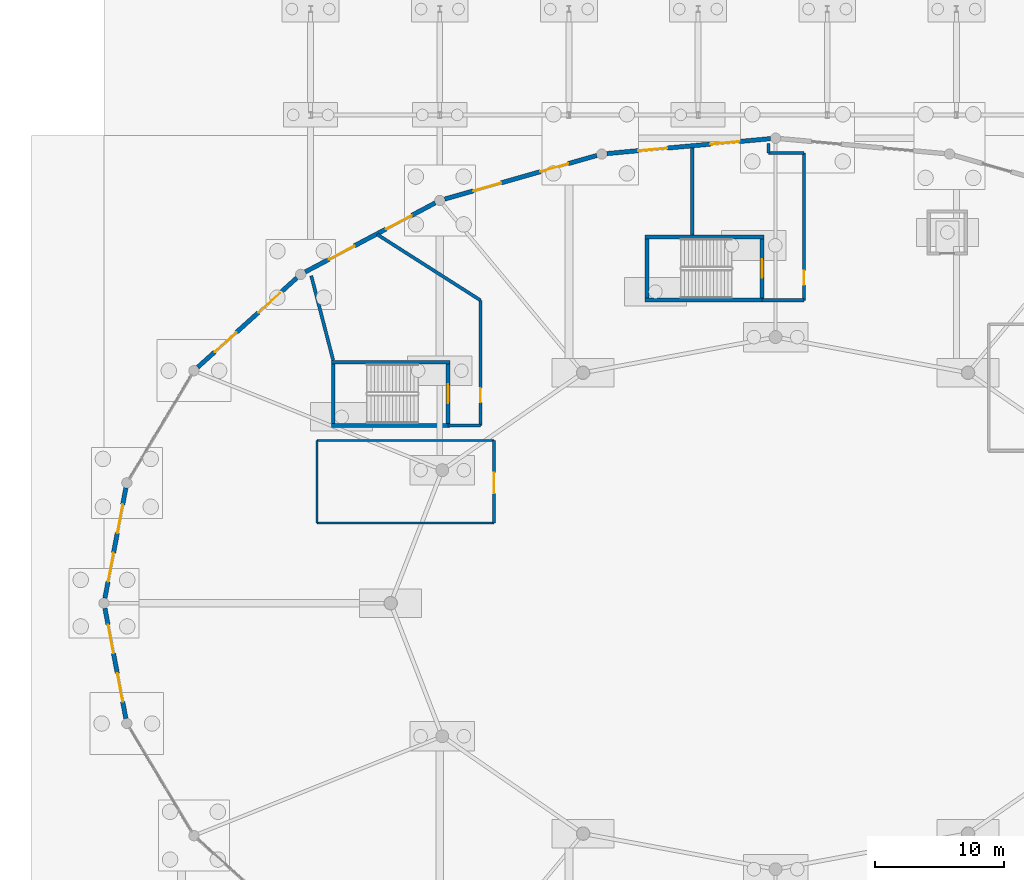
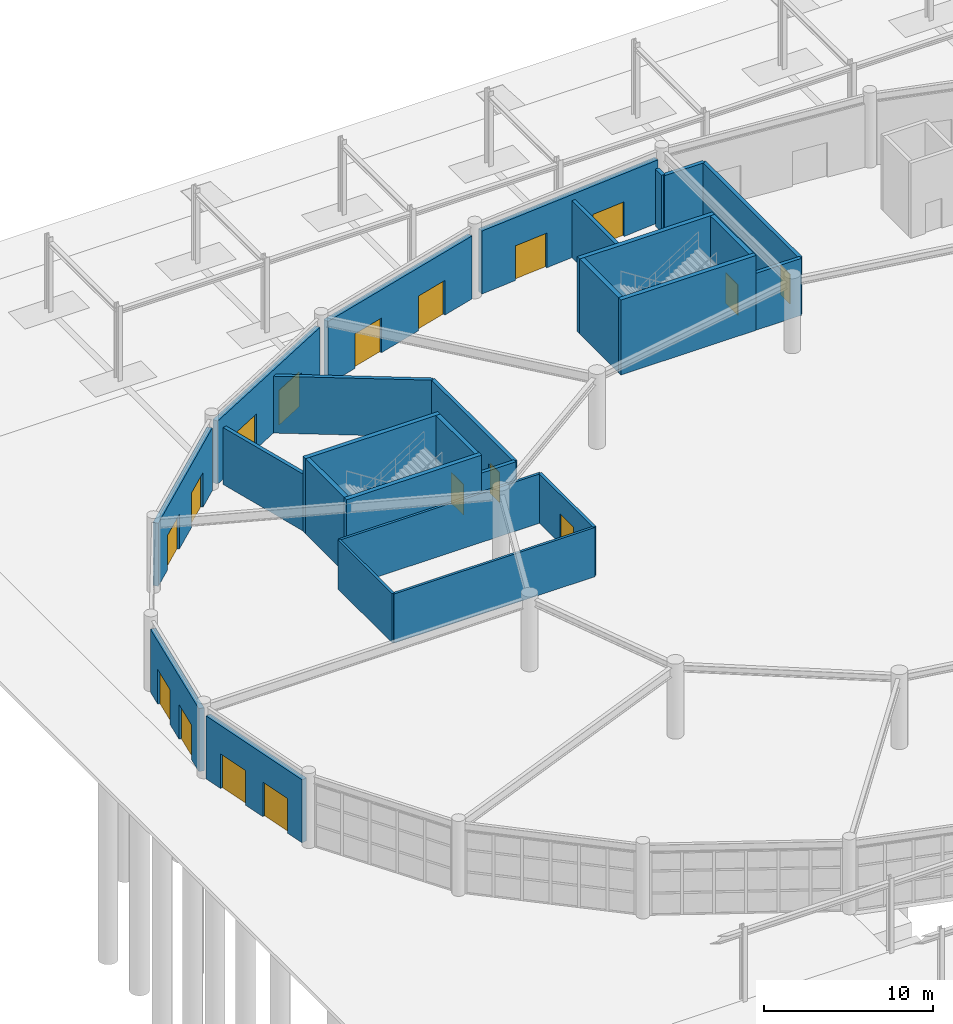
# One storey, part 77 of 99: 27 walls, 17 doors, 17 openings.
"""IFC4 building model written with IfcOpenShell, lengths in metres."""

from ifc_helpers import new_model, si_unit, direction, frame, frame_2d, origin, place, context, subcontext, project, spatial, rectangle, extrude, material, layer, layer_set, type_object, element, fill, save


model = new_model("IFC4")

# Units and contexts
model_context = context("Model", 3, precision=1e-05, world=origin(), true_north=direction((0.0, 1.0)))
body_context = subcontext(model_context, "Body", "Model", "MODEL_VIEW")
ifc_project = project(units=[si_unit("LENGTHUNIT", "METRE"), si_unit("AREAUNIT", "SQUARE_METRE"), si_unit("VOLUMEUNIT", "CUBIC_METRE"), si_unit("PLANEANGLEUNIT", "RADIAN"), si_unit("MASSUNIT", "GRAM", prefix="KILO")], contexts=[model_context])

# Site, building, storey
site_placement = place(None, origin())
site = spatial("IfcSite", under=ifc_project, at=site_placement, CompositionType="ELEMENT")
building_placement = place(site_placement, origin())
building = spatial("IfcBuilding", under=site, at=building_placement, Name="Kivolera Central Railway Station", CompositionType="ELEMENT")
storey_placement = place(building_placement, origin())
storey = spatial("IfcBuildingStorey", under=building, at=storey_placement, Name="L00", CompositionType="ELEMENT", Elevation=0.0)

# Wall, opening, door
ifc_material_1 = material(Name="Swahili coral limestone", Category="masonry")
ifc_layer_1 = layer(ifc_material_1, 0.199951171875, Name="Swahili coral limestone")
ifc_layer_set_1 = layer_set([ifc_layer_1], Name="Swahili coral limestone")
wall_type_1 = type_object("IfcWallType", Name="WL-COR-200", PredefinedType="PARTITIONING", material=ifc_layer_set_1)
wall_1_placement = place(storey_placement, frame((42.199951171875, 96.199951171875, 0.0), z_axis=(0.0, 0.0, 1.0), x_axis=(0.0, 1.0, 0.0)))
wall_1 = element("IfcWall", 1, at=wall_1_placement, inside=storey, type_object=wall_type_1, Name="L00 Passenger Information Centre Door Host Wall", PredefinedType="PARTITIONING", context=body_context, shape_type="SweptSolid", body=[
    extrude(rectangle(XDim=6.400146484375, YDim=0.199951171875, at=frame_2d((3.2001953125, 0.0))), origin(), (0.0, 0.0, 1.0), 3.550048828125),
])
opening_1_placement = place(wall_1_placement, frame((2.300048828125, 0.0, 0.0)))
opening_1 = element("IfcOpeningElement", 2, at=opening_1_placement, cuts=wall_1, Name="Opening D-DB-02", PredefinedType="OPENING", context=body_context, shape_type="SweptSolid", body=[
    extrude(rectangle(XDim=1.60009765625, YDim=2.14990234375, at=frame_2d((0.800048828125, 1.074951171875))), frame((0.0, 0.10986328125, 0.0), z_axis=(0.0, -1.0, 0.0), x_axis=(1.0, 0.0, 0.0)), (0.0, 0.0, 1.0), 0.219970703125),
])
ifc_material_2 = material(Name="Anodised aluminium", Category="aluminium")
door_type_1 = type_object("IfcDoorType", Name="DR-D-DB-02", OperationType="NOTDEFINED", PredefinedType="DOOR", material=ifc_material_2)
door_1_placement = place(opening_1_placement, origin())
door_1 = element("IfcDoor", 3, at=door_1_placement, inside=storey, type_object=door_type_1, Name="L00 Passenger Information Centre Door", OperationType="DOUBLE_DOOR_SINGLE_SWING", OverallHeight=2.14990234375, OverallWidth=1.60009765625, PredefinedType="DOOR", context=body_context, shape_type="SweptSolid", body=[
    extrude(rectangle(XDim=1.60009765625, YDim=2.14990234375, at=frame_2d((0.800048828125, 1.074951171875))), frame((0.0, 0.02490234375, 0.0), z_axis=(0.0, -1.0, 0.0), x_axis=(1.0, 0.0, 0.0)), (0.0, 0.0, 1.0), 0.050048828125),
])
fill(opening_1, door_1)

# Walls
ifc_material_3 = material(Name="Concrete C40/50", Category="concrete")
ifc_layer_2 = layer(ifc_material_3, 0.300048828125, Name="Concrete C40/50")
ifc_layer_set_2 = layer_set([ifc_layer_2], Name="Concrete C40/50")
wall_type_2 = type_object("IfcWallType", Name="WL-CORE-300", PredefinedType="SHEAR", material=ifc_layer_set_2)
for number, where, z_axis, x_axis, name in (
    (4, (63.10009765625, 113.469970703125, 0.0), (0.0, 0.0, 1.0), (-1.0, 0.0, 0.0), "L00 ST5 Core Right Shear Wall"),
    (5, (53.89990234375, 118.35009765625, 0.0), (0.0, 0.0, 1.0), (1.0, 0.0, 0.0), "L00 ST5 Core Left Shear Wall"),
):
    element("IfcWall", number, at=place(storey_placement, frame(where, z_axis=z_axis, x_axis=x_axis)), inside=storey, type_object=wall_type_2, Name=name, PredefinedType="SHEAR", context=body_context, shape_type="SweptSolid", body=[
        extrude(rectangle(XDim=9.2001953125, YDim=0.300048828125, at=frame_2d((4.60009765625, 0.0))), origin(), (0.0, 0.0, 1.0), 5.39990234375),
    ])

# Wall, opening, door
wall_2_placement = place(storey_placement, frame((62.949951171875, 118.199951171875, 0.0), z_axis=(0.0, 0.0, 1.0), x_axis=(0.0, -1.0, 0.0)))
wall_2 = element("IfcWall", 6, at=wall_2_placement, inside=storey, type_object=wall_type_2, Name="L00 ST5 Core Near Shear Wall", PredefinedType="SHEAR", context=body_context, shape_type="SweptSolid", body=[
    extrude(rectangle(XDim=4.579833984375, YDim=0.300048828125, at=frame_2d((2.2900390625, 0.0))), origin(), (0.0, 0.0, 1.0), 5.39990234375),
])
opening_2_placement = place(wall_2_placement, frame((1.56494140625, 0.0, 0.0)))
opening_2 = element("IfcOpeningElement", 7, at=opening_2_placement, cuts=wall_2, Name="Opening D-STAIR-1450", PredefinedType="OPENING", context=body_context, shape_type="SweptSolid", body=[
    extrude(rectangle(XDim=1.449951171875, YDim=2.199951171875, at=frame_2d((0.72509765625, 1.10009765625))), frame((0.0, 0.159912109375, 0.0), z_axis=(0.0, -1.0, 0.0), x_axis=(1.0, 0.0, 0.0)), (0.0, 0.0, 1.0), 0.320068359375),
])
ifc_material_4 = material(Name="Hardwood mvule timber", Category="wood")
door_type_2 = type_object("IfcDoorType", Name="DR-D-STAIR-1450", OperationType="NOTDEFINED", PredefinedType="DOOR", material=ifc_material_4)
door_2_placement = place(opening_2_placement, origin())
door_2 = element("IfcDoor", 8, at=door_2_placement, inside=storey, type_object=door_type_2, Name="L00 ST5 Concourse/Platform Stair Fire Door", OperationType="SINGLE_SWING_LEFT", OverallHeight=2.199951171875, OverallWidth=1.449951171875, PredefinedType="DOOR", context=body_context, shape_type="SweptSolid", body=[
    extrude(rectangle(XDim=1.449951171875, YDim=2.199951171875, at=frame_2d((0.72509765625, 1.10009765625))), frame((0.0, 0.02490234375, 0.0), z_axis=(0.0, -1.0, 0.0), x_axis=(1.0, 0.0, 0.0)), (0.0, 0.0, 1.0), 0.050048828125),
])
fill(opening_2, door_2)

# Walls
wall_3_placement = place(storey_placement, frame((54.050048828125, 113.6201171875, 0.0), z_axis=(0.0, 0.0, 1.0), x_axis=(0.0, 1.0, 0.0)))
element("IfcWall", 9, at=wall_3_placement, inside=storey, type_object=wall_type_2, Name="L00 ST5 Core Far Shear Wall", PredefinedType="SHEAR", context=body_context, shape_type="SweptSolid", body=[
    extrude(rectangle(XDim=4.579833984375, YDim=0.300048828125, at=frame_2d((2.2900390625, 0.0))), origin(), (0.0, 0.0, 1.0), 5.39990234375),
])
for number, where, z_axis, x_axis, name in (
    (10, (38.800048828125, 103.77001953125, 0.0), (0.0, 0.0, 1.0), (-1.0, 0.0, 0.0), "L00 ST6 Core Right Shear Wall"),
    (11, (29.60009765625, 108.64990234375, 0.0), (0.0, 0.0, 1.0), (1.0, 0.0, 0.0), "L00 ST6 Core Left Shear Wall"),
):
    element("IfcWall", number, at=place(storey_placement, frame(where, z_axis=z_axis, x_axis=x_axis)), inside=storey, type_object=wall_type_2, Name=name, PredefinedType="SHEAR", context=body_context, shape_type="SweptSolid", body=[
        extrude(rectangle(XDim=9.199951171875, YDim=0.300048828125, at=frame_2d((4.60009765625, 0.0))), origin(), (0.0, 0.0, 1.0), 5.39990234375),
    ])

# Wall, opening, door
wall_4_placement = place(storey_placement, frame((38.64990234375, 108.5, 0.0), z_axis=(0.0, 0.0, 1.0), x_axis=(0.0, -1.0, 0.0)))
wall_4 = element("IfcWall", 12, at=wall_4_placement, inside=storey, type_object=wall_type_2, Name="L00 ST6 Core Near Shear Wall", PredefinedType="SHEAR", context=body_context, shape_type="SweptSolid", body=[
    extrude(rectangle(XDim=4.580078125, YDim=0.300048828125, at=frame_2d((2.2900390625, 0.0))), origin(), (0.0, 0.0, 1.0), 5.39990234375),
])
opening_3_placement = place(wall_4_placement, frame((1.56494140625, 0.0, 0.0)))
opening_3 = element("IfcOpeningElement", 13, at=opening_3_placement, cuts=wall_4, Name="Opening D-STAIR-1450", PredefinedType="OPENING", context=body_context, shape_type="SweptSolid", body=[
    extrude(rectangle(XDim=1.449951171875, YDim=2.199951171875, at=frame_2d((0.72509765625, 1.10009765625))), frame((0.0, 0.159912109375, 0.0), z_axis=(0.0, -1.0, 0.0), x_axis=(1.0, 0.0, 0.0)), (0.0, 0.0, 1.0), 0.320068359375),
])
door_3_placement = place(opening_3_placement, origin())
door_3 = element("IfcDoor", 14, at=door_3_placement, inside=storey, type_object=door_type_2, Name="L00 ST6 Concourse/Platform Stair Fire Door", OperationType="SINGLE_SWING_RIGHT", OverallHeight=2.199951171875, OverallWidth=1.449951171875, PredefinedType="DOOR", context=body_context, shape_type="SweptSolid", body=[
    extrude(rectangle(XDim=1.449951171875, YDim=2.199951171875, at=frame_2d((0.72509765625, 1.10009765625))), frame((0.0, 0.02490234375, 0.0), z_axis=(0.0, -1.0, 0.0), x_axis=(1.0, 0.0, 0.0)), (0.0, 0.0, 1.0), 0.050048828125),
])
fill(opening_3, door_3)

# Wall
wall_5_placement = place(storey_placement, frame((29.75, 103.919921875, 0.0), z_axis=(0.0, 0.0, 1.0), x_axis=(0.0, 1.0, 0.0)))
element("IfcWall", 15, at=wall_5_placement, inside=storey, type_object=wall_type_2, Name="L00 ST6 Core Far Shear Wall", PredefinedType="SHEAR", context=body_context, shape_type="SweptSolid", body=[
    extrude(rectangle(XDim=4.580078125, YDim=0.300048828125, at=frame_2d((2.2900390625, 0.0))), origin(), (0.0, 0.0, 1.0), 5.39990234375),
])

# Wall, openings, doors
ifc_layer_3 = layer(ifc_material_1, 0.340087890625, Name="Swahili coral limestone")
ifc_layer_set_3 = layer_set([ifc_layer_3], Name="Swahili coral limestone")
wall_type_3 = type_object("IfcWallType", Name="WL-EXT-PLINTH-340", PredefinedType="SOLIDWALL", material=ifc_layer_set_3)
wall_6_placement = place(storey_placement, frame((50.93896484375, 124.80908203125, 0.0), z_axis=(0.0, 0.0, 1.0), x_axis=(0.995865935197, 0.090835230574, 0.0)))
wall_6 = element("IfcWall", 16, at=wall_6_placement, inside=storey, type_object=wall_type_3, Name="Oval Concourse Entrance Portal Wall Bay 07", PredefinedType="SOLIDWALL", context=body_context, shape_type="SweptSolid", body=[
    extrude(rectangle(XDim=12.715576171875, YDim=0.340087890625, at=frame_2d((6.35791015625, 0.0))), origin(), (0.0, 0.0, 1.0), 4.5400390625),
])
opening_4_placement = place(wall_6_placement, frame((2.43505859375, 0.0, 0.0)))
opening_4 = element("IfcOpeningElement", 17, at=opening_4_placement, cuts=wall_6, Name="Opening ED-2250", PredefinedType="OPENING", context=body_context, shape_type="SweptSolid", body=[
    extrude(rectangle(XDim=2.25, YDim=2.5, at=frame_2d((1.125, 1.25))), frame((0.0, 0.179931640625, 0.0), z_axis=(0.0, -1.0, 0.0), x_axis=(1.0, 0.0, 0.0)), (0.0, 0.0, 1.0), 0.360107421875),
])
opening_5_placement = place(wall_6_placement, frame((8.030029296875, 0.0, 0.0)))
opening_5 = element("IfcOpeningElement", 18, at=opening_5_placement, cuts=wall_6, Name="Opening ED-2250", PredefinedType="OPENING", context=body_context, shape_type="SweptSolid", body=[
    extrude(rectangle(XDim=2.25, YDim=2.5, at=frame_2d((1.125, 1.25))), frame((0.0, 0.179931640625, 0.0), z_axis=(0.0, -1.0, 0.0), x_axis=(1.0, 0.0, 0.0)), (0.0, 0.0, 1.0), 0.360107421875),
])
door_type_3 = type_object("IfcDoorType", Name="DR-ED-2250", OperationType="NOTDEFINED", PredefinedType="DOOR", material=ifc_material_2)
door_4_placement = place(opening_4_placement, origin())
door_4 = element("IfcDoor", 19, at=door_4_placement, inside=storey, type_object=door_type_3, Name="Final Exit Discharge Door ED-05", OperationType="DOUBLE_DOOR_SINGLE_SWING", OverallHeight=2.5, OverallWidth=2.25, PredefinedType="DOOR", context=body_context, shape_type="SweptSolid", body=[
    extrude(rectangle(XDim=2.25, YDim=2.5, at=frame_2d((1.125, 1.25))), frame((0.0, 0.02490234375, 0.0), z_axis=(0.0, -1.0, 0.0), x_axis=(1.0, 0.0, 0.0)), (0.0, 0.0, 1.0), 0.050048828125),
])
fill(opening_4, door_4)
door_5_placement = place(opening_5_placement, origin())
door_5 = element("IfcDoor", 20, at=door_5_placement, inside=storey, type_object=door_type_3, Name="Final Exit Discharge Door ED-06", OperationType="DOUBLE_DOOR_SINGLE_SWING", OverallHeight=2.5, OverallWidth=2.25, PredefinedType="DOOR", context=body_context, shape_type="SweptSolid", body=[
    extrude(rectangle(XDim=2.25, YDim=2.5, at=frame_2d((1.125, 1.25))), frame((0.0, 0.02490234375, 0.0), z_axis=(0.0, -1.0, 0.0), x_axis=(1.0, 0.0, 0.0)), (0.0, 0.0, 1.0), 0.050048828125),
])
fill(opening_5, door_5)

wall_7_placement = place(storey_placement, frame((38.385009765625, 121.287109375, 0.0), z_axis=(0.0, 0.0, 1.0), x_axis=(0.9612465972, 0.275690005934, 0.0)))
wall_7 = element("IfcWall", 21, at=wall_7_placement, inside=storey, type_object=wall_type_3, Name="Oval Concourse Entrance Portal Wall Bay 08", PredefinedType="SOLIDWALL", context=body_context, shape_type="SweptSolid", body=[
    extrude(rectangle(XDim=12.24560546875, YDim=0.340087890625, at=frame_2d((6.122802734375, 0.0))), origin(), (0.0, 0.0, 1.0), 4.5400390625),
])
opening_6_placement = place(wall_7_placement, frame((2.303955078125, 0.0, 0.0)))
opening_6 = element("IfcOpeningElement", 22, at=opening_6_placement, cuts=wall_7, Name="Opening ED-2250", PredefinedType="OPENING", context=body_context, shape_type="SweptSolid", body=[
    extrude(rectangle(XDim=2.25, YDim=2.5, at=frame_2d((1.125, 1.25))), frame((0.0, 0.179931640625, 0.0), z_axis=(0.0, -1.0, 0.0), x_axis=(1.0, 0.0, 0.0)), (0.0, 0.0, 1.0), 0.360107421875),
])
opening_7_placement = place(wall_7_placement, frame((7.69189453125, 0.0, 0.0)))
opening_7 = element("IfcOpeningElement", 23, at=opening_7_placement, cuts=wall_7, Name="Opening ED-2250", PredefinedType="OPENING", context=body_context, shape_type="SweptSolid", body=[
    extrude(rectangle(XDim=2.25, YDim=2.5, at=frame_2d((1.125, 1.25))), frame((0.0, 0.179931640625, 0.0), z_axis=(0.0, -1.0, 0.0), x_axis=(1.0, 0.0, 0.0)), (0.0, 0.0, 1.0), 0.360107421875),
])
door_6_placement = place(opening_6_placement, origin())
door_6 = element("IfcDoor", 24, at=door_6_placement, inside=storey, type_object=door_type_3, Name="Final Exit Discharge Door ED-07", OperationType="DOUBLE_DOOR_SINGLE_SWING", OverallHeight=2.5, OverallWidth=2.25, PredefinedType="DOOR", context=body_context, shape_type="SweptSolid", body=[
    extrude(rectangle(XDim=2.25, YDim=2.5, at=frame_2d((1.125, 1.25))), frame((0.0, 0.02490234375, 0.0), z_axis=(0.0, -1.0, 0.0), x_axis=(1.0, 0.0, 0.0)), (0.0, 0.0, 1.0), 0.050048828125),
])
fill(opening_6, door_6)
door_7_placement = place(opening_7_placement, origin())
door_7 = element("IfcDoor", 25, at=door_7_placement, inside=storey, type_object=door_type_3, Name="Final Exit Discharge Door ED-08", OperationType="DOUBLE_DOOR_SINGLE_SWING", OverallHeight=2.5, OverallWidth=2.25, PredefinedType="DOOR", context=body_context, shape_type="SweptSolid", body=[
    extrude(rectangle(XDim=2.25, YDim=2.5, at=frame_2d((1.125, 1.25))), frame((0.0, 0.02490234375, 0.0), z_axis=(0.0, -1.0, 0.0), x_axis=(1.0, 0.0, 0.0)), (0.0, 0.0, 1.0), 0.050048828125),
])
fill(opening_7, door_7)

wall_8_placement = place(storey_placement, frame((27.5830078125, 115.64404296875, 0.0), z_axis=(0.0, 0.0, 1.0), x_axis=(0.883170637758, 0.46905183573, 0.0)))
wall_8 = element("IfcWall", 26, at=wall_8_placement, inside=storey, type_object=wall_type_3, Name="Oval Concourse Entrance Portal Wall Bay 09", PredefinedType="SOLIDWALL", context=body_context, shape_type="SweptSolid", body=[
    extrude(rectangle(XDim=11.395263671875, YDim=0.340087890625, at=frame_2d((5.69775390625, 0.0))), origin(), (0.0, 0.0, 1.0), 4.5400390625),
])
opening_8_placement = place(wall_8_placement, frame((2.06591796875, 0.0, 0.0)))
opening_8 = element("IfcOpeningElement", 27, at=opening_8_placement, cuts=wall_8, Name="Opening ED-2250", PredefinedType="OPENING", context=body_context, shape_type="SweptSolid", body=[
    extrude(rectangle(XDim=2.25, YDim=2.5, at=frame_2d((1.125, 1.25))), frame((0.0, 0.179931640625, 0.0), z_axis=(0.0, -1.0, 0.0), x_axis=(1.0, 0.0, 0.0)), (0.0, 0.0, 1.0), 0.360107421875),
])
opening_9_placement = place(wall_8_placement, frame((7.080078125, 0.0, 0.0)))
opening_9 = element("IfcOpeningElement", 28, at=opening_9_placement, cuts=wall_8, Name="Opening ED-2250", PredefinedType="OPENING", context=body_context, shape_type="SweptSolid", body=[
    extrude(rectangle(XDim=2.25, YDim=2.5, at=frame_2d((1.125, 1.25))), frame((0.0, 0.179931640625, 0.0), z_axis=(0.0, -1.0, 0.0), x_axis=(1.0, 0.0, 0.0)), (0.0, 0.0, 1.0), 0.360107421875),
])
door_8_placement = place(opening_8_placement, origin())
door_8 = element("IfcDoor", 29, at=door_8_placement, inside=storey, type_object=door_type_3, Name="Final Exit Discharge Door ED-09", OperationType="DOUBLE_DOOR_SINGLE_SWING", OverallHeight=2.5, OverallWidth=2.25, PredefinedType="DOOR", context=body_context, shape_type="SweptSolid", body=[
    extrude(rectangle(XDim=2.25, YDim=2.5, at=frame_2d((1.125, 1.25))), frame((0.0, 0.02490234375, 0.0), z_axis=(0.0, -1.0, 0.0), x_axis=(1.0, 0.0, 0.0)), (0.0, 0.0, 1.0), 0.050048828125),
])
fill(opening_8, door_8)
door_9_placement = place(opening_9_placement, origin())
door_9 = element("IfcDoor", 30, at=door_9_placement, inside=storey, type_object=door_type_3, Name="Final Exit Discharge Door ED-10", OperationType="DOUBLE_DOOR_SINGLE_SWING", OverallHeight=2.5, OverallWidth=2.25, PredefinedType="DOOR", context=body_context, shape_type="SweptSolid", body=[
    extrude(rectangle(XDim=2.25, YDim=2.5, at=frame_2d((1.125, 1.25))), frame((0.0, 0.02490234375, 0.0), z_axis=(0.0, -1.0, 0.0), x_axis=(1.0, 0.0, 0.0)), (0.0, 0.0, 1.0), 0.050048828125),
])
fill(opening_9, door_9)

wall_9_placement = place(storey_placement, frame((19.263916015625, 108.26806640625, 0.0), z_axis=(0.0, 0.0, 1.0), x_axis=(0.742443864637, 0.669908283172, 0.0)))
wall_9 = element("IfcWall", 31, at=wall_9_placement, inside=storey, type_object=wall_type_3, Name="Oval Concourse Entrance Portal Wall Bay 10", PredefinedType="SOLIDWALL", context=body_context, shape_type="SweptSolid", body=[
    extrude(rectangle(XDim=10.32958984375, YDim=0.340087890625, at=frame_2d((5.164794921875, 0.0))), origin(), (0.0, 0.0, 1.0), 4.5400390625),
])
opening_10_placement = place(wall_9_placement, frame((1.76708984375, 0.0, 0.0)))
opening_10 = element("IfcOpeningElement", 32, at=opening_10_placement, cuts=wall_9, Name="Opening ED-2250", PredefinedType="OPENING", context=body_context, shape_type="SweptSolid", body=[
    extrude(rectangle(XDim=2.25, YDim=2.5, at=frame_2d((1.125, 1.25))), frame((0.0, 0.179931640625, 0.0), z_axis=(0.0, -1.0, 0.0), x_axis=(1.0, 0.0, 0.0)), (0.0, 0.0, 1.0), 0.360107421875),
])
opening_11_placement = place(wall_9_placement, frame((6.31201171875, 0.0, 0.0)))
opening_11 = element("IfcOpeningElement", 33, at=opening_11_placement, cuts=wall_9, Name="Opening ED-2250", PredefinedType="OPENING", context=body_context, shape_type="SweptSolid", body=[
    extrude(rectangle(XDim=2.25, YDim=2.5, at=frame_2d((1.125, 1.25))), frame((0.0, 0.179931640625, 0.0), z_axis=(0.0, -1.0, 0.0), x_axis=(1.0, 0.0, 0.0)), (0.0, 0.0, 1.0), 0.360107421875),
])
door_10_placement = place(opening_10_placement, origin())
door_10 = element("IfcDoor", 34, at=door_10_placement, inside=storey, type_object=door_type_3, Name="Final Exit Discharge Door ED-11", OperationType="DOUBLE_DOOR_SINGLE_SWING", OverallHeight=2.5, OverallWidth=2.25, PredefinedType="DOOR", context=body_context, shape_type="SweptSolid", body=[
    extrude(rectangle(XDim=2.25, YDim=2.5, at=frame_2d((1.125, 1.25))), frame((0.0, 0.02490234375, 0.0), z_axis=(0.0, -1.0, 0.0), x_axis=(1.0, 0.0, 0.0)), (0.0, 0.0, 1.0), 0.050048828125),
])
fill(opening_10, door_10)
door_11_placement = place(opening_11_placement, origin())
door_11 = element("IfcDoor", 35, at=door_11_placement, inside=storey, type_object=door_type_3, Name="Final Exit Discharge Door ED-12", OperationType="DOUBLE_DOOR_SINGLE_SWING", OverallHeight=2.5, OverallWidth=2.25, PredefinedType="DOOR", context=body_context, shape_type="SweptSolid", body=[
    extrude(rectangle(XDim=2.25, YDim=2.5, at=frame_2d((1.125, 1.25))), frame((0.0, 0.02490234375, 0.0), z_axis=(0.0, -1.0, 0.0), x_axis=(1.0, 0.0, 0.0)), (0.0, 0.0, 1.0), 0.050048828125),
])
fill(opening_11, door_11)

wall_10_placement = place(storey_placement, frame((12.074951171875, 90.39306640625, 0.0), z_axis=(0.0, 0.0, 1.0), x_axis=(0.186791705145, 0.982399541373, 0.0)))
wall_10 = element("IfcWall", 36, at=wall_10_placement, inside=storey, type_object=wall_type_3, Name="Oval Concourse Entrance Portal Wall Bay 12", PredefinedType="SOLIDWALL", context=body_context, shape_type="SweptSolid", body=[
    extrude(rectangle(XDim=8.683837890625, YDim=0.340087890625, at=frame_2d((4.341796875, 0.0))), origin(), (0.0, 0.0, 1.0), 4.5400390625),
])
opening_12_placement = place(wall_10_placement, frame((1.305908203125, 0.0, 0.0)))
opening_12 = element("IfcOpeningElement", 37, at=opening_12_placement, cuts=wall_10, Name="Opening ED-2250", PredefinedType="OPENING", context=body_context, shape_type="SweptSolid", body=[
    extrude(rectangle(XDim=2.25, YDim=2.5, at=frame_2d((1.125, 1.25))), frame((0.0, 0.179931640625, 0.0), z_axis=(0.0, -1.0, 0.0), x_axis=(1.0, 0.0, 0.0)), (0.0, 0.0, 1.0), 0.360107421875),
])
opening_13_placement = place(wall_10_placement, frame((5.126953125, 0.0, 0.0)))
opening_13 = element("IfcOpeningElement", 38, at=opening_13_placement, cuts=wall_10, Name="Opening ED-2250", PredefinedType="OPENING", context=body_context, shape_type="SweptSolid", body=[
    extrude(rectangle(XDim=2.25, YDim=2.5, at=frame_2d((1.125, 1.25))), frame((0.0, 0.179931640625, 0.0), z_axis=(0.0, -1.0, 0.0), x_axis=(1.0, 0.0, 0.0)), (0.0, 0.0, 1.0), 0.360107421875),
])
door_12_placement = place(opening_12_placement, origin())
door_12 = element("IfcDoor", 39, at=door_12_placement, inside=storey, type_object=door_type_3, Name="Final Exit Discharge Door ED-13", OperationType="DOUBLE_DOOR_SINGLE_SWING", OverallHeight=2.5, OverallWidth=2.25, PredefinedType="DOOR", context=body_context, shape_type="SweptSolid", body=[
    extrude(rectangle(XDim=2.25, YDim=2.5, at=frame_2d((1.125, 1.25))), frame((0.0, 0.02490234375, 0.0), z_axis=(0.0, -1.0, 0.0), x_axis=(1.0, 0.0, 0.0)), (0.0, 0.0, 1.0), 0.050048828125),
])
fill(opening_12, door_12)
door_13_placement = place(opening_13_placement, origin())
door_13 = element("IfcDoor", 40, at=door_13_placement, inside=storey, type_object=door_type_3, Name="Final Exit Discharge Door ED-14", OperationType="DOUBLE_DOOR_SINGLE_SWING", OverallHeight=2.5, OverallWidth=2.25, PredefinedType="DOOR", context=body_context, shape_type="SweptSolid", body=[
    extrude(rectangle(XDim=2.25, YDim=2.5, at=frame_2d((1.125, 1.25))), frame((0.0, 0.02490234375, 0.0), z_axis=(0.0, -1.0, 0.0), x_axis=(1.0, 0.0, 0.0)), (0.0, 0.0, 1.0), 0.050048828125),
])
fill(opening_13, door_13)

wall_11_placement = place(storey_placement, frame((13.697021484375, 81.075927734375, 0.0), z_axis=(0.0, 0.0, 1.0), x_axis=(-0.186791705145, 0.982399541373, 0.0)))
wall_11 = element("IfcWall", 41, at=wall_11_placement, inside=storey, type_object=wall_type_3, Name="Oval Concourse Entrance Portal Wall Bay 13", PredefinedType="SOLIDWALL", context=body_context, shape_type="SweptSolid", body=[
    extrude(rectangle(XDim=8.683837890625, YDim=0.340087890625, at=frame_2d((4.341796875, 0.0))), origin(), (0.0, 0.0, 1.0), 4.5400390625),
])
opening_14_placement = place(wall_11_placement, frame((1.305908203125, 0.0, 0.0)))
opening_14 = element("IfcOpeningElement", 42, at=opening_14_placement, cuts=wall_11, Name="Opening ED-2250", PredefinedType="OPENING", context=body_context, shape_type="SweptSolid", body=[
    extrude(rectangle(XDim=2.25, YDim=2.5, at=frame_2d((1.125, 1.25))), frame((0.0, 0.179931640625, 0.0), z_axis=(0.0, -1.0, 0.0), x_axis=(1.0, 0.0, 0.0)), (0.0, 0.0, 1.0), 0.360107421875),
])
opening_15_placement = place(wall_11_placement, frame((5.126953125, 0.0, 0.0)))
opening_15 = element("IfcOpeningElement", 43, at=opening_15_placement, cuts=wall_11, Name="Opening ED-2250", PredefinedType="OPENING", context=body_context, shape_type="SweptSolid", body=[
    extrude(rectangle(XDim=2.25, YDim=2.5, at=frame_2d((1.125, 1.25))), frame((0.0, 0.179931640625, 0.0), z_axis=(0.0, -1.0, 0.0), x_axis=(1.0, 0.0, 0.0)), (0.0, 0.0, 1.0), 0.360107421875),
])
door_14_placement = place(opening_14_placement, origin())
door_14 = element("IfcDoor", 44, at=door_14_placement, inside=storey, type_object=door_type_3, Name="Final Exit Discharge Door ED-15", OperationType="DOUBLE_DOOR_SINGLE_SWING", OverallHeight=2.5, OverallWidth=2.25, PredefinedType="DOOR", context=body_context, shape_type="SweptSolid", body=[
    extrude(rectangle(XDim=2.25, YDim=2.5, at=frame_2d((1.125, 1.25))), frame((0.0, 0.02490234375, 0.0), z_axis=(0.0, -1.0, 0.0), x_axis=(1.0, 0.0, 0.0)), (0.0, 0.0, 1.0), 0.050048828125),
])
fill(opening_14, door_14)
door_15_placement = place(opening_15_placement, origin())
door_15 = element("IfcDoor", 45, at=door_15_placement, inside=storey, type_object=door_type_3, Name="Final Exit Discharge Door ED-16", OperationType="DOUBLE_DOOR_SINGLE_SWING", OverallHeight=2.5, OverallWidth=2.25, PredefinedType="DOOR", context=body_context, shape_type="SweptSolid", body=[
    extrude(rectangle(XDim=2.25, YDim=2.5, at=frame_2d((1.125, 1.25))), frame((0.0, 0.02490234375, 0.0), z_axis=(0.0, -1.0, 0.0), x_axis=(1.0, 0.0, 0.0)), (0.0, 0.0, 1.0), 0.050048828125),
])
fill(opening_15, door_15)

# Wall, opening, door
ifc_layer_4 = layer(ifc_material_3, 0.25, Name="Concrete C40/50")
ifc_layer_set_4 = layer_set([ifc_layer_4], Name="Concrete C40/50")
wall_type_4 = type_object("IfcWallType", Name="WL-FFL-250", PredefinedType="PARTITIONING", material=ifc_layer_set_4)
wall_12_placement = place(storey_placement, frame((66.199951171875, 113.449951171875, 0.0), z_axis=(0.0, 0.0, 1.0), x_axis=(0.0, 1.0, 0.0)))
wall_12 = element("IfcWall", 46, at=wall_12_placement, inside=storey, type_object=wall_type_4, Name="L00 Stair ST5 Protected Exit Passage East Wall", PredefinedType="PARTITIONING", context=body_context, shape_type="SweptSolid", body=[
    extrude(rectangle(XDim=11.400146484375, YDim=0.25, at=frame_2d((5.7001953125, 0.0))), origin(), (0.0, 0.0, 1.0), 4.10009765625),
])
opening_16_placement = place(wall_12_placement, frame((1.199951171875, 0.0, 0.0)))
opening_16 = element("IfcOpeningElement", 47, at=opening_16_placement, cuts=wall_12, Name="Opening D-FFL-1100", PredefinedType="OPENING", context=body_context, shape_type="SweptSolid", body=[
    extrude(rectangle(XDim=1.10009765625, YDim=2.14990234375, at=frame_2d((0.550048828125, 1.074951171875))), frame((0.0, 0.135009765625, 0.0), z_axis=(0.0, -1.0, 0.0), x_axis=(1.0, 0.0, 0.0)), (0.0, 0.0, 1.0), 0.27001953125),
])
door_type_4 = type_object("IfcDoorType", Name="DR-D-FFL-1100", OperationType="NOTDEFINED", PredefinedType="DOOR", material=ifc_material_4)
door_16_placement = place(opening_16_placement, origin())
door_16 = element("IfcDoor", 48, at=door_16_placement, inside=storey, type_object=door_type_4, Name="L00 Stair ST5 Protected Passage Concourse Fire Door", OperationType="SINGLE_SWING_LEFT", OverallHeight=2.14990234375, OverallWidth=1.10009765625, PredefinedType="DOOR", context=body_context, shape_type="SweptSolid", body=[
    extrude(rectangle(XDim=1.10009765625, YDim=2.14990234375, at=frame_2d((0.550048828125, 1.074951171875))), frame((0.0, 0.02490234375, 0.0), z_axis=(0.0, -1.0, 0.0), x_axis=(1.0, 0.0, 0.0)), (0.0, 0.0, 1.0), 0.050048828125),
])
fill(opening_16, door_16)

# Walls
wall_13_placement = place(storey_placement, frame((63.449951171875, 124.85009765625, 0.0), z_axis=(0.0, 0.0, 1.0), x_axis=(1.0, 0.0, 0.0)))
element("IfcWall", 49, at=wall_13_placement, inside=storey, type_object=wall_type_4, Name="L00 Stair ST5 Protected Exit Passage North Return", PredefinedType="PARTITIONING", context=body_context, shape_type="SweptSolid", body=[
    extrude(rectangle(XDim=2.75, YDim=0.25, at=frame_2d((1.375, 0.0))), origin(), (0.0, 0.0, 1.0), 4.10009765625),
])
wall_14_placement = place(storey_placement, frame((63.449951171875, 124.85009765625, 0.0), z_axis=(0.0, 0.0, 1.0), x_axis=(0.0, 1.0, 0.0)))
element("IfcWall", 50, at=wall_14_placement, inside=storey, type_object=wall_type_4, Name="L00 Stair ST5 Protected Exit Passage Portal Return", PredefinedType="PARTITIONING", context=body_context, shape_type="SweptSolid", body=[
    extrude(rectangle(XDim=0.75, YDim=0.25, at=frame_2d((0.375, 0.0))), origin(), (0.0, 0.0, 1.0), 4.10009765625),
])
wall_15_placement = place(storey_placement, frame((57.550048828125, 118.5, 0.0), z_axis=(0.0, 0.0, 1.0), x_axis=(0.0, 1.0, 0.0)))
element("IfcWall", 51, at=wall_15_placement, inside=storey, type_object=wall_type_4, Name="L00 Stair ST5 Protected Exit Passage West Wall", PredefinedType="PARTITIONING", context=body_context, shape_type="SweptSolid", body=[
    extrude(rectangle(XDim=6.75, YDim=0.25, at=frame_2d((3.375, 0.0))), origin(), (0.0, 0.0, 1.0), 4.10009765625),
])
wall_16_placement = place(storey_placement, frame((62.949951171875, 113.449951171875, 0.0), z_axis=(0.0, 0.0, 1.0), x_axis=(1.0, 0.0, 0.0)))
element("IfcWall", 52, at=wall_16_placement, inside=storey, type_object=wall_type_4, Name="L00 Stair ST5 Protected Exit Vestibule South Return", PredefinedType="PARTITIONING", context=body_context, shape_type="SweptSolid", body=[
    extrude(rectangle(XDim=3.25, YDim=0.25, at=frame_2d((1.625, 0.0))), origin(), (0.0, 0.0, 1.0), 4.10009765625),
])

# Wall, opening, door
wall_17_placement = place(storey_placement, frame((41.14990234375, 103.75, 0.0), z_axis=(0.0, 0.0, 1.0), x_axis=(0.0, 1.0, 0.0)))
wall_17 = element("IfcWall", 53, at=wall_17_placement, inside=storey, type_object=wall_type_4, Name="L00 Stair ST6 Protected Exit Passage East Wall", PredefinedType="PARTITIONING", context=body_context, shape_type="SweptSolid", body=[
    extrude(rectangle(XDim=9.699951171875, YDim=0.25, at=frame_2d((4.85009765625, 0.0))), origin(), (0.0, 0.0, 1.0), 4.10009765625),
])
opening_17_placement = place(wall_17_placement, frame((1.800048828125, 0.0, 0.0)))
opening_17 = element("IfcOpeningElement", 54, at=opening_17_placement, cuts=wall_17, Name="Opening D-FFL-1100", PredefinedType="OPENING", context=body_context, shape_type="SweptSolid", body=[
    extrude(rectangle(XDim=1.10009765625, YDim=2.14990234375, at=frame_2d((0.550048828125, 1.074951171875))), frame((0.0, 0.135009765625, 0.0), z_axis=(0.0, -1.0, 0.0), x_axis=(1.0, 0.0, 0.0)), (0.0, 0.0, 1.0), 0.27001953125),
])
door_17_placement = place(opening_17_placement, origin())
door_17 = element("IfcDoor", 55, at=door_17_placement, inside=storey, type_object=door_type_4, Name="L00 Stair ST6 Protected Passage Concourse Fire Door", OperationType="SINGLE_SWING_RIGHT", OverallHeight=2.14990234375, OverallWidth=1.10009765625, PredefinedType="DOOR", context=body_context, shape_type="SweptSolid", body=[
    extrude(rectangle(XDim=1.10009765625, YDim=2.14990234375, at=frame_2d((0.550048828125, 1.074951171875))), frame((0.0, 0.02490234375, 0.0), z_axis=(0.0, -1.0, 0.0), x_axis=(1.0, 0.0, 0.0)), (0.0, 0.0, 1.0), 0.050048828125),
])
fill(opening_17, door_17)

# Walls
wall_18_placement = place(storey_placement, frame((41.14990234375, 113.449951171875, 0.0), z_axis=(0.0, 0.0, 1.0), x_axis=(-0.843222532273, 0.537564657568, 0.0)))
element("IfcWall", 56, at=wall_18_placement, inside=storey, type_object=wall_type_4, Name="L00 Stair ST6 Protected Exit Passage North-East Splay Wall", PredefinedType="PARTITIONING", context=body_context, shape_type="SweptSolid", body=[
    extrude(rectangle(XDim=9.4873046875, YDim=0.25, at=frame_2d((4.74365234375, 0.0))), origin(), (0.0, 0.0, 1.0), 4.10009765625),
])
wall_19_placement = place(storey_placement, frame((29.75, 108.800048828125, 0.0), z_axis=(0.0, 0.0, 1.0), x_axis=(-0.251210058237, 0.967932594058, 0.0)))
element("IfcWall", 57, at=wall_19_placement, inside=storey, type_object=wall_type_4, Name="L00 Stair ST6 Protected Exit Passage West Wall", PredefinedType="PARTITIONING", context=body_context, shape_type="SweptSolid", body=[
    extrude(rectangle(XDim=6.76708984375, YDim=0.25, at=frame_2d((3.383544921875, 0.0))), origin(), (0.0, 0.0, 1.0), 4.10009765625),
])
wall_20_placement = place(storey_placement, frame((38.64990234375, 103.75, 0.0), z_axis=(0.0, 0.0, 1.0), x_axis=(1.0, 0.0, 0.0)))
element("IfcWall", 58, at=wall_20_placement, inside=storey, type_object=wall_type_4, Name="L00 Stair ST6 Protected Exit Passage South Wall", PredefinedType="PARTITIONING", context=body_context, shape_type="SweptSolid", body=[
    extrude(rectangle(XDim=2.5, YDim=0.25, at=frame_2d((1.25, 0.0))), origin(), (0.0, 0.0, 1.0), 4.10009765625),
])
ifc_material_5 = material(Name="Gypsum plasterboard steel-stud partition")
ifc_layer_5 = layer(ifc_material_5, 0.1650390625, Name="Gypsum plasterboard steel-stud partition")
ifc_layer_set_5 = layer_set([ifc_layer_5], Name="Gypsum plasterboard steel-stud partition")
wall_type_5 = type_object("IfcWallType", Name="WL-PRT-165", PredefinedType="PARTITIONING", material=ifc_layer_set_5)
wall_21_placement = place(storey_placement, frame((28.5, 96.199951171875, 0.0), z_axis=(0.0, 0.0, 1.0), x_axis=(0.0, 1.0, 0.0)))
element("IfcWall", 59, at=wall_21_placement, inside=storey, type_object=wall_type_5, Name="L00 Concourse Partition WL-L00-CUSTINF-W", PredefinedType="PARTITIONING", context=body_context, shape_type="SweptSolid", body=[
    extrude(rectangle(XDim=6.400146484375, YDim=0.1650390625, at=frame_2d((3.2001953125, 0.0))), origin(), (0.0, 0.0, 1.0), 3.550048828125),
])
for number, where, z_axis, x_axis, name in (
    (60, (28.5, 96.199951171875, 0.0), (0.0, 0.0, 1.0), (1.0, 0.0, 0.0), "L00 Concourse Partition WL-L00-CUSTINF-S"),
    (61, (28.5, 102.60009765625, 0.0), (0.0, 0.0, 1.0), (1.0, 0.0, 0.0), "L00 Concourse Partition WL-L00-CUSTINF-N"),
):
    element("IfcWall", number, at=place(storey_placement, frame(where, z_axis=z_axis, x_axis=x_axis)), inside=storey, type_object=wall_type_5, Name=name, PredefinedType="PARTITIONING", context=body_context, shape_type="SweptSolid", body=[
        extrude(rectangle(XDim=13.699951171875, YDim=0.1650390625, at=frame_2d((6.85009765625, 0.0))), origin(), (0.0, 0.0, 1.0), 3.550048828125),
    ])

save(model, "model.ifc")
